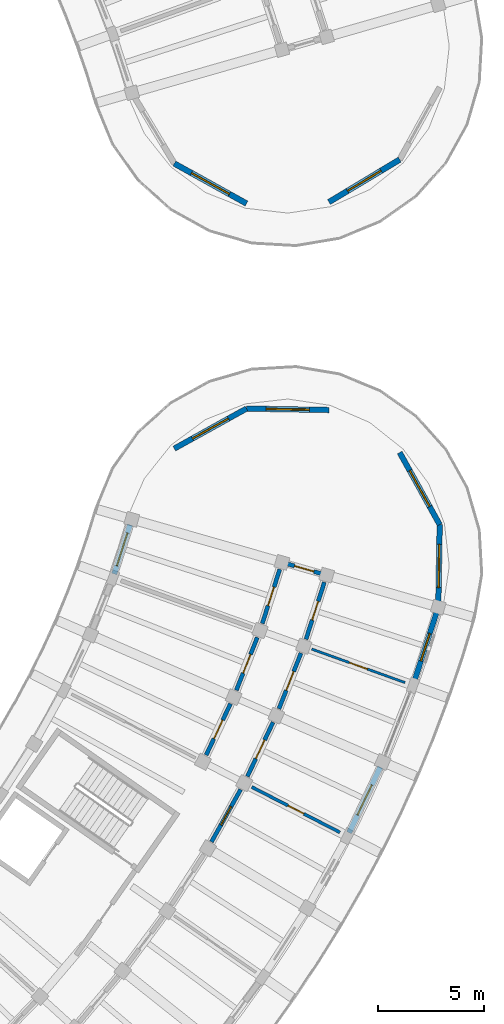
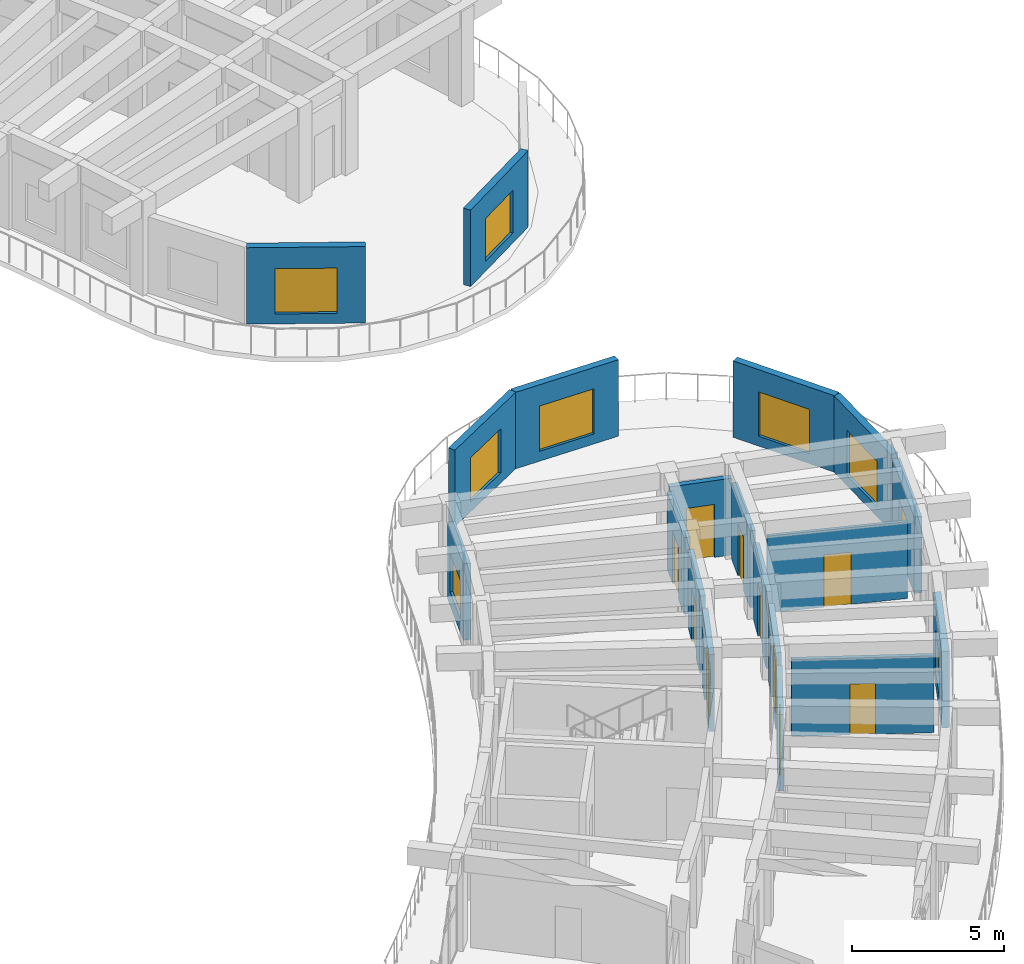
# One storey, part 97 of 128: 19 walls, 10 doors, 9 windows, 19 openings.
"""IFC4 building model written with IfcOpenShell, lengths in metres."""

from ifc_helpers import new_model, si_unit, direction, frame, frame_2d, origin, place, context, subcontext, project, spatial, rectangle, extrude, material, layer, layer_set, type_object, element, fill, save


model = new_model("IFC4")

# Units and contexts
model_context = context("Model", 3, precision=1e-05, world=origin(), true_north=direction((0.0, 1.0)))
body_context = subcontext(model_context, "Body", "Model", "MODEL_VIEW")
ifc_project = project(units=[si_unit("LENGTHUNIT", "METRE"), si_unit("AREAUNIT", "SQUARE_METRE"), si_unit("VOLUMEUNIT", "CUBIC_METRE"), si_unit("PLANEANGLEUNIT", "RADIAN"), si_unit("MASSUNIT", "GRAM", prefix="KILO")], contexts=[model_context])

# Site, building, storey
site_placement = place(None, origin())
site = spatial("IfcSite", under=ifc_project, at=site_placement, CompositionType="ELEMENT")
building_placement = place(site_placement, origin())
building = spatial("IfcBuilding", under=site, at=building_placement, Name="Tanwirah Colonnade Gardens", CompositionType="ELEMENT")
storey_placement = place(building_placement, frame((0.0, 0.0, 4.760009765625)))
storey = spatial("IfcBuildingStorey", under=building, at=storey_placement, Name="L01", CompositionType="ELEMENT", Elevation=4.760009765625)

# Wall, opening, window
ifc_material_1 = material(Name="Limestone architectural precast concrete C40/50", Category="masonry")
ifc_layer_1 = layer(ifc_material_1, 0.260009765625)
ifc_layer_set_1 = layer_set([ifc_layer_1], Name="Limestone architectural precast concrete C40/50")
wall_type_1 = type_object("IfcWallType", Name="EW-PC260", PredefinedType="SOLIDWALL", material=ifc_layer_set_1)
wall_1_placement = place(storey_placement, frame((174.020263671875, 37.40087890625, 0.0), z_axis=(0.0, 0.0, 1.0), x_axis=(0.428562647062, 0.903512068289, 0.0)))
wall_1 = element("IfcWall", 1, at=wall_1_placement, inside=storey, type_object=wall_type_1, Name="Block D L01 OUT Precast Facade Wall 13", PredefinedType="SOLIDWALL", context=body_context, shape_type="SweptSolid", body=[
    extrude(rectangle(XDim=3.436767578125, YDim=0.260009765625, at=frame_2d((1.71826171875, 0.0))), origin(), (0.0, 0.0, 1.0), 3.074951171875),
])
opening_1_placement = place(wall_1_placement, frame((0.928466796875, 0.0, 0.550048828125)))
opening_1 = element("IfcOpeningElement", 2, at=opening_1_placement, cuts=wall_1, Name="Opening WIN-T20", PredefinedType="OPENING", context=body_context, shape_type="SweptSolid", body=[
    extrude(rectangle(XDim=1.580078125, YDim=1.679931640625, at=frame_2d((0.7900390625, 0.83984375))), frame((0.0, 0.139892578125, 0.0), z_axis=(0.0, -1.0, 0.0), x_axis=(1.0, 0.0, 0.0)), (0.0, 0.0, 1.0), 0.280029296875),
])
ifc_material_2 = material(Name="Thermally broken bronze aluminium and solar low-E double glazing", Category="aluminium")
window_type_1 = type_object("IfcWindowType", Name="WIN-T20", PartitioningType="DOUBLE_PANEL_VERTICAL", PredefinedType="WINDOW", material=ifc_material_2)
window_1_placement = place(opening_1_placement, origin())
window_1 = element("IfcWindow", 3, at=window_1_placement, inside=storey, type_object=window_type_1, Name="Facade window D-L01-OUT-13", OverallHeight=1.679931640625, OverallWidth=1.580078125, PartitioningType="SINGLE_PANEL", PredefinedType="WINDOW", context=body_context, shape_type="SweptSolid", body=[
    extrude(rectangle(XDim=1.580078125, YDim=1.679931640625, at=frame_2d((0.7900390625, 0.83984375))), frame((0.0, 0.030029296875, 0.0), z_axis=(0.0, -1.0, 0.0), x_axis=(1.0, 0.0, 0.0)), (0.0, 0.0, 1.0), 0.06005859375),
])
fill(opening_1, window_1)

wall_2_placement = place(storey_placement, frame((177.103759765625, 44.55322265625, 0.0), z_axis=(0.0, 0.0, 1.0), x_axis=(0.306963342814, 0.951721338506, 0.0)))
wall_2 = element("IfcWall", 4, at=wall_2_placement, inside=storey, type_object=wall_type_1, Name="Block D L01 OUT Precast Facade Wall 15", PredefinedType="SOLIDWALL", context=body_context, shape_type="SweptSolid", body=[
    extrude(rectangle(XDim=3.436767578125, YDim=0.260009765625, at=frame_2d((1.71826171875, 0.0))), origin(), (0.0, 0.0, 1.0), 3.074951171875),
])
opening_2_placement = place(wall_2_placement, frame((1.038330078125, 0.0, 0.550048828125)))
opening_2 = element("IfcOpeningElement", 5, at=opening_2_placement, cuts=wall_2, Name="Opening WIN-U06", PredefinedType="OPENING", context=body_context, shape_type="SweptSolid", body=[
    extrude(rectangle(XDim=1.360107421875, YDim=1.610107421875, at=frame_2d((0.68017578125, 0.80517578125))), frame((0.0, 0.139892578125, 0.0), z_axis=(0.0, -1.0, 0.0), x_axis=(1.0, 0.0, 0.0)), (0.0, 0.0, 1.0), 0.280029296875),
])
window_type_2 = type_object("IfcWindowType", Name="WIN-U06", PartitioningType="DOUBLE_PANEL_VERTICAL", PredefinedType="WINDOW", material=ifc_material_2)
window_2_placement = place(opening_2_placement, origin())
window_2 = element("IfcWindow", 6, at=window_2_placement, inside=storey, type_object=window_type_2, Name="Facade window D-L01-OUT-15", OverallHeight=1.610107421875, OverallWidth=1.360107421875, PartitioningType="SINGLE_PANEL", PredefinedType="WINDOW", context=body_context, shape_type="SweptSolid", body=[
    extrude(rectangle(XDim=1.360107421875, YDim=1.610107421875, at=frame_2d((0.68017578125, 0.80517578125))), frame((0.0, 0.030029296875, 0.0), z_axis=(0.0, -1.0, 0.0), x_axis=(1.0, 0.0, 0.0)), (0.0, 0.0, 1.0), 0.06005859375),
])
fill(opening_2, window_2)

wall_3_placement = place(storey_placement, frame((162.89208984375, 49.65576171875, 0.0), z_axis=(0.0, 0.0, 1.0), x_axis=(0.306909552229, 0.951738686169, 0.0)))
wall_3 = element("IfcWall", 7, at=wall_3_placement, inside=storey, type_object=wall_type_1, Name="Block D L01 IN Precast Facade Wall 15", PredefinedType="SOLIDWALL", context=body_context, shape_type="SweptSolid", body=[
    extrude(rectangle(XDim=2.448486328125, YDim=0.260009765625, at=frame_2d((1.22412109375, 0.0))), origin(), (0.0, 0.0, 1.0), 3.074951171875),
])
opening_3_placement = place(wall_3_placement, frame((0.404296875, 0.0, 0.550048828125)))
opening_3 = element("IfcOpeningElement", 8, at=opening_3_placement, cuts=wall_3, Name="Opening WIN-U13", PredefinedType="OPENING", context=body_context, shape_type="SweptSolid", body=[
    extrude(rectangle(XDim=1.639892578125, YDim=1.56005859375, at=frame_2d((0.81982421875, 0.780029296875))), frame((0.0, 0.139892578125, 0.0), z_axis=(0.0, -1.0, 0.0), x_axis=(1.0, 0.0, 0.0)), (0.0, 0.0, 1.0), 0.280029296875),
])
window_type_3 = type_object("IfcWindowType", Name="WIN-U13", PartitioningType="DOUBLE_PANEL_VERTICAL", PredefinedType="WINDOW", material=ifc_material_2)
window_3_placement = place(opening_3_placement, origin())
window_3 = element("IfcWindow", 9, at=window_3_placement, inside=storey, type_object=window_type_3, Name="Facade window D-L01-IN-15", OverallHeight=1.56005859375, OverallWidth=1.639892578125, PartitioningType="SINGLE_PANEL", PredefinedType="WINDOW", context=body_context, shape_type="SweptSolid", body=[
    extrude(rectangle(XDim=1.639892578125, YDim=1.56005859375, at=frame_2d((0.81982421875, 0.780029296875))), frame((0.0, 0.030029296875, 0.0), z_axis=(0.0, -1.0, 0.0), x_axis=(1.0, 0.0, 0.0)), (0.0, 0.0, 1.0), 0.06005859375),
])
fill(opening_3, window_3)

wall_4_placement = place(storey_placement, frame((165.740966796875, 55.597900390625, 0.0), z_axis=(0.0, 0.0, 1.0), x_axis=(0.874616555828, 0.48481530532, 0.0)))
wall_4 = element("IfcWall", 10, at=wall_4_placement, inside=storey, type_object=wall_type_1, Name="Block D L01 END Rounded End Wall 1", PredefinedType="SOLIDWALL", context=body_context, shape_type="SweptSolid", body=[
    extrude(rectangle(XDim=3.908203125, YDim=0.260009765625, at=frame_2d((1.9541015625, 0.0))), origin(), (0.0, 0.0, 1.0), 3.074951171875),
])
opening_4_placement = place(wall_4_placement, frame((0.97900390625, 0.0, 0.39990234375)))
opening_4 = element("IfcOpeningElement", 11, at=opening_4_placement, cuts=wall_4, Name="Opening WIN-END2", PredefinedType="OPENING", context=body_context, shape_type="SweptSolid", body=[
    extrude(rectangle(XDim=1.949951171875, YDim=1.780029296875, at=frame_2d((0.97509765625, 0.89013671875))), frame((0.0, 0.139892578125, 0.0), z_axis=(0.0, -1.0, 0.0), x_axis=(1.0, 0.0, 0.0)), (0.0, 0.0, 1.0), 0.280029296875),
])
window_type_4 = type_object("IfcWindowType", Name="WIN-END2", PartitioningType="TRIPLE_PANEL_VERTICAL", PredefinedType="WINDOW", material=ifc_material_2)
window_4_placement = place(opening_4_placement, origin())
window_4 = element("IfcWindow", 12, at=window_4_placement, inside=storey, type_object=window_type_4, Name="Rounded corner window D-L01-END-1", OverallHeight=1.780029296875, OverallWidth=1.949951171875, PartitioningType="SINGLE_PANEL", PredefinedType="WINDOW", context=body_context, shape_type="SweptSolid", body=[
    extrude(rectangle(XDim=1.949951171875, YDim=1.780029296875, at=frame_2d((0.97509765625, 0.89013671875))), frame((0.0, 0.030029296875, 0.0), z_axis=(0.0, -1.0, 0.0), x_axis=(1.0, 0.0, 0.0)), (0.0, 0.0, 1.0), 0.06005859375),
])
fill(opening_4, window_4)

wall_5_placement = place(storey_placement, frame((169.1591796875, 57.49267578125, 0.0), z_axis=(0.0, 0.0, 1.0), x_axis=(0.999847005776, -0.017491856396, 0.0)))
wall_5 = element("IfcWall", 13, at=wall_5_placement, inside=storey, type_object=wall_type_1, Name="Block D L01 END Rounded End Wall 2", PredefinedType="SOLIDWALL", context=body_context, shape_type="SweptSolid", body=[
    extrude(rectangle(XDim=3.907958984375, YDim=0.260009765625, at=frame_2d((1.9541015625, 0.0))), origin(), (0.0, 0.0, 1.0), 3.074951171875),
])
opening_5_placement = place(wall_5_placement, frame((0.92919921875, 0.0, 0.39990234375)))
opening_5 = element("IfcOpeningElement", 14, at=opening_5_placement, cuts=wall_5, Name="Opening WIN-END3", PredefinedType="OPENING", context=body_context, shape_type="SweptSolid", body=[
    extrude(rectangle(XDim=2.050048828125, YDim=1.820068359375, at=frame_2d((1.02490234375, 0.91015625))), frame((0.0, 0.139892578125, 0.0), z_axis=(0.0, -1.0, 0.0), x_axis=(1.0, 0.0, 0.0)), (0.0, 0.0, 1.0), 0.280029296875),
])
window_type_5 = type_object("IfcWindowType", Name="WIN-END3", PartitioningType="TRIPLE_PANEL_VERTICAL", PredefinedType="WINDOW", material=ifc_material_2)
window_5_placement = place(opening_5_placement, origin())
window_5 = element("IfcWindow", 15, at=window_5_placement, inside=storey, type_object=window_type_5, Name="Rounded corner window D-L01-END-2", OverallHeight=1.820068359375, OverallWidth=2.050048828125, PartitioningType="SINGLE_PANEL", PredefinedType="WINDOW", context=body_context, shape_type="SweptSolid", body=[
    extrude(rectangle(XDim=2.050048828125, YDim=1.820068359375, at=frame_2d((1.02490234375, 0.91015625))), frame((0.0, 0.030029296875, 0.0), z_axis=(0.0, -1.0, 0.0), x_axis=(1.0, 0.0, 0.0)), (0.0, 0.0, 1.0), 0.06005859375),
])
fill(opening_5, window_5)

wall_6_placement = place(storey_placement, frame((176.41650390625, 55.41162109375, 0.0), z_axis=(0.0, 0.0, 1.0), x_axis=(0.48481530532, -0.874616555828, 0.0)))
wall_6 = element("IfcWall", 16, at=wall_6_placement, inside=storey, type_object=wall_type_1, Name="Block D L01 END Rounded End Wall 4", PredefinedType="SOLIDWALL", context=body_context, shape_type="SweptSolid", body=[
    extrude(rectangle(XDim=3.908203125, YDim=0.260009765625, at=frame_2d((1.9541015625, 0.0))), origin(), (0.0, 0.0, 1.0), 3.074951171875),
])
opening_6_placement = place(wall_6_placement, frame((0.97900390625, 0.0, 0.39990234375)))
opening_6 = element("IfcOpeningElement", 17, at=opening_6_placement, cuts=wall_6, Name="Opening WIN-END2", PredefinedType="OPENING", context=body_context, shape_type="SweptSolid", body=[
    extrude(rectangle(XDim=1.949951171875, YDim=1.780029296875, at=frame_2d((0.97509765625, 0.89013671875))), frame((0.0, 0.139892578125, 0.0), z_axis=(0.0, -1.0, 0.0), x_axis=(1.0, 0.0, 0.0)), (0.0, 0.0, 1.0), 0.280029296875),
])
window_6_placement = place(opening_6_placement, origin())
window_6 = element("IfcWindow", 18, at=window_6_placement, inside=storey, type_object=window_type_4, Name="Rounded corner window D-L01-END-4", OverallHeight=1.780029296875, OverallWidth=1.949951171875, PartitioningType="SINGLE_PANEL", PredefinedType="WINDOW", context=body_context, shape_type="SweptSolid", body=[
    extrude(rectangle(XDim=1.949951171875, YDim=1.780029296875, at=frame_2d((0.97509765625, 0.89013671875))), frame((0.0, 0.030029296875, 0.0), z_axis=(0.0, -1.0, 0.0), x_axis=(1.0, 0.0, 0.0)), (0.0, 0.0, 1.0), 0.06005859375),
])
fill(opening_6, window_6)

wall_7_placement = place(storey_placement, frame((178.311279296875, 51.993408203125, 0.0), z_axis=(0.0, 0.0, 1.0), x_axis=(-0.017428315893, -0.999848115368, 0.0)))
wall_7 = element("IfcWall", 19, at=wall_7_placement, inside=storey, type_object=wall_type_1, Name="Block D L01 END Rounded End Wall 5", PredefinedType="SOLIDWALL", context=body_context, shape_type="SweptSolid", body=[
    extrude(rectangle(XDim=3.908203125, YDim=0.260009765625, at=frame_2d((1.9541015625, 0.0))), origin(), (0.0, 0.0, 1.0), 3.074951171875),
])
opening_7_placement = place(wall_7_placement, frame((0.92919921875, 0.0, 0.39990234375)))
opening_7 = element("IfcOpeningElement", 20, at=opening_7_placement, cuts=wall_7, Name="Opening WIN-END3", PredefinedType="OPENING", context=body_context, shape_type="SweptSolid", body=[
    extrude(rectangle(XDim=2.050048828125, YDim=1.820068359375, at=frame_2d((1.02490234375, 0.91015625))), frame((0.0, 0.139892578125, 0.0), z_axis=(0.0, -1.0, 0.0), x_axis=(1.0, 0.0, 0.0)), (0.0, 0.0, 1.0), 0.280029296875),
])
window_7_placement = place(opening_7_placement, origin())
window_7 = element("IfcWindow", 21, at=window_7_placement, inside=storey, type_object=window_type_5, Name="Rounded corner window D-L01-END-5", OverallHeight=1.820068359375, OverallWidth=2.050048828125, PartitioningType="SINGLE_PANEL", PredefinedType="WINDOW", context=body_context, shape_type="SweptSolid", body=[
    extrude(rectangle(XDim=2.050048828125, YDim=1.820068359375, at=frame_2d((1.02490234375, 0.91015625))), frame((0.0, 0.030029296875, 0.0), z_axis=(0.0, -1.0, 0.0), x_axis=(1.0, 0.0, 0.0)), (0.0, 0.0, 1.0), 0.06005859375),
])
fill(opening_7, window_7)

ifc_layer_2 = layer(ifc_material_1, 0.27001953125)
ifc_layer_set_2 = layer_set([ifc_layer_2], Name="Limestone architectural precast concrete C40/50")
wall_type_2 = type_object("IfcWallType", Name="EW-PC270", PredefinedType="SOLIDWALL", material=ifc_layer_set_2)
wall_8_placement = place(storey_placement, frame((176.41650390625, 69.28857421875, 0.0), z_axis=(0.0, 0.0, 1.0), x_axis=(-0.85715098885, -0.515065221417, 0.0)))
wall_8 = element("IfcWall", 22, at=wall_8_placement, inside=storey, type_object=wall_type_2, Name="Block B L01 START Rounded End Wall 2", PredefinedType="SOLIDWALL", context=body_context, shape_type="SweptSolid", body=[
    extrude(rectangle(XDim=3.908203125, YDim=0.27001953125, at=frame_2d((1.9541015625, 0.0))), origin(), (0.0, 0.0, 1.0), 3.074951171875),
])
opening_8_placement = place(wall_8_placement, frame((1.029052734375, 0.0, 0.39990234375)))
opening_8 = element("IfcOpeningElement", 23, at=opening_8_placement, cuts=wall_8, Name="Opening WIN-END1", PredefinedType="OPENING", context=body_context, shape_type="SweptSolid", body=[
    extrude(rectangle(XDim=1.85009765625, YDim=1.719970703125, at=frame_2d((0.925048828125, 0.85986328125))), frame((0.0, 0.14501953125, 0.0), z_axis=(0.0, -1.0, 0.0), x_axis=(1.0, 0.0, 0.0)), (0.0, 0.0, 1.0), 0.2900390625),
])
window_type_6 = type_object("IfcWindowType", Name="WIN-END1", PartitioningType="TRIPLE_PANEL_VERTICAL", PredefinedType="WINDOW", material=ifc_material_2)
window_8_placement = place(opening_8_placement, origin())
window_8 = element("IfcWindow", 24, at=window_8_placement, inside=storey, type_object=window_type_6, Name="Rounded corner window B-L01-START-2", OverallHeight=1.719970703125, OverallWidth=1.85009765625, PartitioningType="SINGLE_PANEL", PredefinedType="WINDOW", context=body_context, shape_type="SweptSolid", body=[
    extrude(rectangle(XDim=1.85009765625, YDim=1.719970703125, at=frame_2d((0.925048828125, 0.85986328125))), frame((0.0, 0.030029296875, 0.0), z_axis=(0.0, -1.0, 0.0), x_axis=(1.0, 0.0, 0.0)), (0.0, 0.0, 1.0), 0.06005859375),
])
fill(opening_8, window_8)

wall_9_placement = place(storey_placement, frame((169.1591796875, 67.20751953125, 0.0), z_axis=(0.0, 0.0, 1.0), x_axis=(-0.874643043537, 0.484767517881, 0.0)))
wall_9 = element("IfcWall", 25, at=wall_9_placement, inside=storey, type_object=wall_type_2, Name="Block B L01 START Rounded End Wall 4", PredefinedType="SOLIDWALL", context=body_context, shape_type="SweptSolid", body=[
    extrude(rectangle(XDim=3.908203125, YDim=0.27001953125, at=frame_2d((1.9541015625, 0.0))), origin(), (0.0, 0.0, 1.0), 3.074951171875),
])
opening_9_placement = place(wall_9_placement, frame((0.92919921875, 0.0, 0.39990234375)))
opening_9 = element("IfcOpeningElement", 26, at=opening_9_placement, cuts=wall_9, Name="Opening WIN-END3", PredefinedType="OPENING", context=body_context, shape_type="SweptSolid", body=[
    extrude(rectangle(XDim=2.050048828125, YDim=1.820068359375, at=frame_2d((1.02490234375, 0.91015625))), frame((0.0, 0.14501953125, 0.0), z_axis=(0.0, -1.0, 0.0), x_axis=(1.0, 0.0, 0.0)), (0.0, 0.0, 1.0), 0.2900390625),
])
window_9_placement = place(opening_9_placement, origin())
window_9 = element("IfcWindow", 27, at=window_9_placement, inside=storey, type_object=window_type_5, Name="Rounded corner window B-L01-START-4", OverallHeight=1.820068359375, OverallWidth=2.050048828125, PartitioningType="SINGLE_PANEL", PredefinedType="WINDOW", context=body_context, shape_type="SweptSolid", body=[
    extrude(rectangle(XDim=2.050048828125, YDim=1.820068359375, at=frame_2d((1.02490234375, 0.91015625))), frame((0.0, 0.030029296875, 0.0), z_axis=(0.0, -1.0, 0.0), x_axis=(1.0, 0.0, 0.0)), (0.0, 0.0, 1.0), 0.06005859375),
])
fill(opening_9, window_9)

# Wall, opening, door
ifc_material_3 = material(Name="Precast concrete C40/50", Category="concrete")
ifc_layer_3 = layer(ifc_material_3, 0.195068359375)
ifc_layer_set_3 = layer_set([ifc_layer_3], Name="Precast concrete C40/50")
wall_type_3 = type_object("IfcWallType", Name="IW-CORR195", PredefinedType="PARTITIONING", material=ifc_layer_set_3)
wall_10_placement = place(storey_placement, frame((167.500244140625, 36.968017578125, 0.0), z_axis=(0.0, 0.0, 1.0), x_axis=(0.48673124079, 0.8735517725, 0.0)))
wall_10 = element("IfcWall", 28, at=wall_10_placement, inside=storey, type_object=wall_type_3, Name="Block D L01 OUT Corridor Wall 12", PredefinedType="PARTITIONING", context=body_context, shape_type="SweptSolid", body=[
    extrude(rectangle(XDim=2.8369140625, YDim=0.195068359375, at=frame_2d((1.41845703125, 0.0))), origin(), (0.0, 0.0, 1.0), 3.090087890625),
])
opening_10_placement = place(wall_10_placement, frame((0.923583984375, 0.0, 0.0)))
opening_10 = element("IfcOpeningElement", 29, at=opening_10_placement, cuts=wall_10, Name="Opening L01-AD1712", PredefinedType="OPENING", context=body_context, shape_type="SweptSolid", body=[
    extrude(rectangle(XDim=0.989990234375, YDim=2.159912109375, at=frame_2d((0.4951171875, 1.080078125))), frame((0.0, 0.107421875, 0.0), z_axis=(0.0, -1.0, 0.0), x_axis=(1.0, 0.0, 0.0)), (0.0, 0.0, 1.0), 0.215087890625),
])
ifc_material_4 = material(Name="Solid oak fire-resisting apartment entrance door")
door_type_1 = type_object("IfcDoorType", Name="ID-FLT099", OperationType="NOTDEFINED", PredefinedType="DOOR", material=ifc_material_4)
door_1_placement = place(opening_10_placement, origin())
door_1 = element("IfcDoor", 30, at=door_1_placement, inside=storey, type_object=door_type_1, Name="Apartment corridor door L01-AD1712", OperationType="SINGLE_SWING_RIGHT", OverallHeight=2.159912109375, OverallWidth=0.989990234375, PredefinedType="DOOR", context=body_context, shape_type="SweptSolid", body=[
    extrude(rectangle(XDim=0.989990234375, YDim=2.159912109375, at=frame_2d((0.4951171875, 1.080078125))), frame((0.0, 0.02490234375, 0.0), z_axis=(0.0, -1.0, 0.0), x_axis=(1.0, 0.0, 0.0)), (0.0, 0.0, 1.0), 0.050048828125),
])
fill(opening_10, door_1)

wall_11_placement = place(storey_placement, frame((169.201416015625, 40.068115234375, 0.0), z_axis=(0.0, 0.0, 1.0), x_axis=(0.428493237107, 0.903544988229, 0.0)))
wall_11 = element("IfcWall", 31, at=wall_11_placement, inside=storey, type_object=wall_type_3, Name="Block D L01 OUT Corridor Wall 13", PredefinedType="PARTITIONING", context=body_context, shape_type="SweptSolid", body=[
    extrude(rectangle(XDim=2.8369140625, YDim=0.195068359375, at=frame_2d((1.41845703125, 0.0))), origin(), (0.0, 0.0, 1.0), 3.090087890625),
])
opening_11_placement = place(wall_11_placement, frame((0.93359375, 0.0, 0.0)))
opening_11 = element("IfcOpeningElement", 32, at=opening_11_placement, cuts=wall_11, Name="Opening L01-AD1715", PredefinedType="OPENING", context=body_context, shape_type="SweptSolid", body=[
    extrude(rectangle(XDim=0.969970703125, YDim=2.14990234375, at=frame_2d((0.48486328125, 1.074951171875))), frame((0.0, 0.107421875, 0.0), z_axis=(0.0, -1.0, 0.0), x_axis=(1.0, 0.0, 0.0)), (0.0, 0.0, 1.0), 0.215087890625),
])
door_type_2 = type_object("IfcDoorType", Name="ID-FLT097", OperationType="NOTDEFINED", PredefinedType="DOOR", material=ifc_material_4)
door_2_placement = place(opening_11_placement, origin())
door_2 = element("IfcDoor", 33, at=door_2_placement, inside=storey, type_object=door_type_2, Name="Apartment corridor door L01-AD1715", OperationType="SINGLE_SWING_LEFT", OverallHeight=2.14990234375, OverallWidth=0.969970703125, PredefinedType="DOOR", context=body_context, shape_type="SweptSolid", body=[
    extrude(rectangle(XDim=0.969970703125, YDim=2.14990234375, at=frame_2d((0.48486328125, 1.074951171875))), frame((0.0, 0.02490234375, 0.0), z_axis=(0.0, -1.0, 0.0), x_axis=(1.0, 0.0, 0.0)), (0.0, 0.0, 1.0), 0.050048828125),
])
fill(opening_11, door_2)

wall_12_placement = place(storey_placement, frame((167.24560546875, 41.075439453125, 0.0), z_axis=(0.0, 0.0, 1.0), x_axis=(0.428550049392, 0.903518043631, 0.0)))
wall_12 = element("IfcWall", 34, at=wall_12_placement, inside=storey, type_object=wall_type_3, Name="Block D L01 IN Corridor Wall 13", PredefinedType="PARTITIONING", context=body_context, shape_type="SweptSolid", body=[
    extrude(rectangle(XDim=2.69287109375, YDim=0.195068359375, at=frame_2d((1.346435546875, 0.0))), origin(), (0.0, 0.0, 1.0), 3.090087890625),
])
opening_12_placement = place(wall_12_placement, frame((0.861572265625, 0.0, 0.0)))
opening_12 = element("IfcOpeningElement", 35, at=opening_12_placement, cuts=wall_12, Name="Opening L01-AD1716", PredefinedType="OPENING", context=body_context, shape_type="SweptSolid", body=[
    extrude(rectangle(XDim=0.969970703125, YDim=2.14990234375, at=frame_2d((0.48486328125, 1.074951171875))), frame((0.0, 0.107421875, 0.0), z_axis=(0.0, -1.0, 0.0), x_axis=(1.0, 0.0, 0.0)), (0.0, 0.0, 1.0), 0.215087890625),
])
door_3_placement = place(opening_12_placement, origin())
door_3 = element("IfcDoor", 36, at=door_3_placement, inside=storey, type_object=door_type_2, Name="Apartment corridor door L01-AD1716", OperationType="SINGLE_SWING_RIGHT", OverallHeight=2.14990234375, OverallWidth=0.969970703125, PredefinedType="DOOR", context=body_context, shape_type="SweptSolid", body=[
    extrude(rectangle(XDim=0.969970703125, YDim=2.14990234375, at=frame_2d((0.48486328125, 1.074951171875))), frame((0.0, 0.02490234375, 0.0), z_axis=(0.0, -1.0, 0.0), x_axis=(1.0, 0.0, 0.0)), (0.0, 0.0, 1.0), 0.050048828125),
])
fill(opening_12, door_3)

wall_13_placement = place(storey_placement, frame((170.696044921875, 43.27294921875, 0.0), z_axis=(0.0, 0.0, 1.0), x_axis=(0.368584691693, 0.929594172233, 0.0)))
wall_13 = element("IfcWall", 37, at=wall_13_placement, inside=storey, type_object=wall_type_3, Name="Block D L01 OUT Corridor Wall 14", PredefinedType="PARTITIONING", context=body_context, shape_type="SweptSolid", body=[
    extrude(rectangle(XDim=2.8369140625, YDim=0.195068359375, at=frame_2d((1.41845703125, 0.0))), origin(), (0.0, 0.0, 1.0), 3.090087890625),
])
opening_13_placement = place(wall_13_placement, frame((0.943603515625, 0.0, 0.0)))
opening_13 = element("IfcOpeningElement", 38, at=opening_13_placement, cuts=wall_13, Name="Opening L01-AD1717", PredefinedType="OPENING", context=body_context, shape_type="SweptSolid", body=[
    extrude(rectangle(XDim=0.949951171875, YDim=2.1298828125, at=frame_2d((0.47509765625, 1.06494140625))), frame((0.0, 0.107421875, 0.0), z_axis=(0.0, -1.0, 0.0), x_axis=(1.0, 0.0, 0.0)), (0.0, 0.0, 1.0), 0.215087890625),
])
door_type_3 = type_object("IfcDoorType", Name="ID-FLT095", OperationType="NOTDEFINED", PredefinedType="DOOR", material=ifc_material_4)
door_4_placement = place(opening_13_placement, origin())
door_4 = element("IfcDoor", 39, at=door_4_placement, inside=storey, type_object=door_type_3, Name="Apartment corridor door L01-AD1717", OperationType="SINGLE_SWING_RIGHT", OverallHeight=2.1298828125, OverallWidth=0.949951171875, PredefinedType="DOOR", context=body_context, shape_type="SweptSolid", body=[
    extrude(rectangle(XDim=0.949951171875, YDim=2.1298828125, at=frame_2d((0.47509765625, 1.06494140625))), frame((0.0, 0.02490234375, 0.0), z_axis=(0.0, -1.0, 0.0), x_axis=(1.0, 0.0, 0.0)), (0.0, 0.0, 1.0), 0.050048828125),
])
fill(opening_13, door_4)

wall_14_placement = place(storey_placement, frame((168.678466796875, 44.150146484375, 0.0), z_axis=(0.0, 0.0, 1.0), x_axis=(0.368528468945, 0.929616462622, 0.0)))
wall_14 = element("IfcWall", 40, at=wall_14_placement, inside=storey, type_object=wall_type_3, Name="Block D L01 IN Corridor Wall 14", PredefinedType="PARTITIONING", context=body_context, shape_type="SweptSolid", body=[
    extrude(rectangle(XDim=2.69287109375, YDim=0.195068359375, at=frame_2d((1.346435546875, 0.0))), origin(), (0.0, 0.0, 1.0), 3.090087890625),
])
opening_14_placement = place(wall_14_placement, frame((0.87158203125, 0.0, 0.0)))
opening_14 = element("IfcOpeningElement", 41, at=opening_14_placement, cuts=wall_14, Name="Opening L01-AD1718", PredefinedType="OPENING", context=body_context, shape_type="SweptSolid", body=[
    extrude(rectangle(XDim=0.949951171875, YDim=2.1298828125, at=frame_2d((0.47509765625, 1.06494140625))), frame((0.0, 0.107421875, 0.0), z_axis=(0.0, -1.0, 0.0), x_axis=(1.0, 0.0, 0.0)), (0.0, 0.0, 1.0), 0.215087890625),
])
door_5_placement = place(opening_14_placement, origin())
door_5 = element("IfcDoor", 42, at=door_5_placement, inside=storey, type_object=door_type_3, Name="Apartment corridor door L01-AD1718", OperationType="SINGLE_SWING_LEFT", OverallHeight=2.1298828125, OverallWidth=0.949951171875, PredefinedType="DOOR", context=body_context, shape_type="SweptSolid", body=[
    extrude(rectangle(XDim=0.949951171875, YDim=2.1298828125, at=frame_2d((0.47509765625, 1.06494140625))), frame((0.0, 0.02490234375, 0.0), z_axis=(0.0, -1.0, 0.0), x_axis=(1.0, 0.0, 0.0)), (0.0, 0.0, 1.0), 0.050048828125),
])
fill(opening_14, door_5)

wall_15_placement = place(storey_placement, frame((171.97802734375, 46.568603515625, 0.0), z_axis=(0.0, 0.0, 1.0), x_axis=(0.30694495224, 0.951727269912, 0.0)))
wall_15 = element("IfcWall", 43, at=wall_15_placement, inside=storey, type_object=wall_type_3, Name="Block D L01 OUT Corridor Wall 15", PredefinedType="PARTITIONING", context=body_context, shape_type="SweptSolid", body=[
    extrude(rectangle(XDim=2.837158203125, YDim=0.195068359375, at=frame_2d((1.41845703125, 0.0))), origin(), (0.0, 0.0, 1.0), 3.090087890625),
])
opening_15_placement = place(wall_15_placement, frame((0.95361328125, 0.0, 0.0)))
opening_15 = element("IfcOpeningElement", 44, at=opening_15_placement, cuts=wall_15, Name="Opening L01-AD1720", PredefinedType="OPENING", context=body_context, shape_type="SweptSolid", body=[
    extrude(rectangle(XDim=0.929931640625, YDim=2.1201171875, at=frame_2d((0.46484375, 1.06005859375))), frame((0.0, 0.107421875, 0.0), z_axis=(0.0, -1.0, 0.0), x_axis=(1.0, 0.0, 0.0)), (0.0, 0.0, 1.0), 0.215087890625),
])
door_type_4 = type_object("IfcDoorType", Name="ID-FLT093", OperationType="NOTDEFINED", PredefinedType="DOOR", material=ifc_material_4)
door_6_placement = place(opening_15_placement, origin())
door_6 = element("IfcDoor", 45, at=door_6_placement, inside=storey, type_object=door_type_4, Name="Apartment corridor door L01-AD1720", OperationType="SINGLE_SWING_LEFT", OverallHeight=2.1201171875, OverallWidth=0.929931640625, PredefinedType="DOOR", context=body_context, shape_type="SweptSolid", body=[
    extrude(rectangle(XDim=0.929931640625, YDim=2.1201171875, at=frame_2d((0.46484375, 1.06005859375))), frame((0.0, 0.02490234375, 0.0), z_axis=(0.0, -1.0, 0.0), x_axis=(1.0, 0.0, 0.0)), (0.0, 0.0, 1.0), 0.050048828125),
])
fill(opening_15, door_6)

wall_16_placement = place(storey_placement, frame((169.907470703125, 47.31201171875, 0.0), z_axis=(0.0, 0.0, 1.0), x_axis=(0.306883578189, 0.951747061691, 0.0)))
wall_16 = element("IfcWall", 46, at=wall_16_placement, inside=storey, type_object=wall_type_3, Name="Block D L01 IN Corridor Wall 15", PredefinedType="PARTITIONING", context=body_context, shape_type="SweptSolid", body=[
    extrude(rectangle(XDim=2.69287109375, YDim=0.195068359375, at=frame_2d((1.346435546875, 0.0))), origin(), (0.0, 0.0, 1.0), 3.090087890625),
])
opening_16_placement = place(wall_16_placement, frame((0.881591796875, 0.0, 0.0)))
opening_16 = element("IfcOpeningElement", 47, at=opening_16_placement, cuts=wall_16, Name="Opening L01-AD1721", PredefinedType="OPENING", context=body_context, shape_type="SweptSolid", body=[
    extrude(rectangle(XDim=0.929931640625, YDim=2.1201171875, at=frame_2d((0.46484375, 1.06005859375))), frame((0.0, 0.107421875, 0.0), z_axis=(0.0, -1.0, 0.0), x_axis=(1.0, 0.0, 0.0)), (0.0, 0.0, 1.0), 0.215087890625),
])
door_7_placement = place(opening_16_placement, origin())
door_7 = element("IfcDoor", 48, at=door_7_placement, inside=storey, type_object=door_type_4, Name="Apartment corridor door L01-AD1721", OperationType="SINGLE_SWING_RIGHT", OverallHeight=2.1201171875, OverallWidth=0.929931640625, PredefinedType="DOOR", context=body_context, shape_type="SweptSolid", body=[
    extrude(rectangle(XDim=0.929931640625, YDim=2.1201171875, at=frame_2d((0.46484375, 1.06005859375))), frame((0.0, 0.02490234375, 0.0), z_axis=(0.0, -1.0, 0.0), x_axis=(1.0, 0.0, 0.0)), (0.0, 0.0, 1.0), 0.050048828125),
])
fill(opening_16, door_7)

wall_17_placement = place(storey_placement, frame((170.889404296875, 50.1943359375, 0.0), z_axis=(0.0, 0.0, 1.0), x_axis=(0.961264701934, -0.275626872449, 0.0)))
wall_17 = element("IfcWall", 49, at=wall_17_placement, inside=storey, type_object=wall_type_3, Name="Block D L01 CE Corner Suite Corridor Wall", PredefinedType="PARTITIONING", context=body_context, shape_type="SweptSolid", body=[
    extrude(rectangle(XDim=2.10009765625, YDim=0.195068359375, at=frame_2d((1.050048828125, 0.0))), origin(), (0.0, 0.0, 1.0), 3.090087890625),
])
opening_17_placement = place(wall_17_placement, frame((0.570068359375, 0.0, 0.0)))
opening_17 = element("IfcOpeningElement", 50, at=opening_17_placement, cuts=wall_17, Name="Opening L01-CD1723", PredefinedType="OPENING", context=body_context, shape_type="SweptSolid", body=[
    extrude(rectangle(XDim=0.949951171875, YDim=2.1298828125, at=frame_2d((0.47509765625, 1.06494140625))), frame((0.0, 0.107421875, 0.0), z_axis=(0.0, -1.0, 0.0), x_axis=(1.0, 0.0, 0.0)), (0.0, 0.0, 1.0), 0.215087890625),
])
door_8_placement = place(opening_17_placement, origin())
door_8 = element("IfcDoor", 51, at=door_8_placement, inside=storey, type_object=door_type_3, Name="Corner suite entrance door L01-CD1723", OperationType="SINGLE_SWING_RIGHT", OverallHeight=2.1298828125, OverallWidth=0.949951171875, PredefinedType="DOOR", context=body_context, shape_type="SweptSolid", body=[
    extrude(rectangle(XDim=0.949951171875, YDim=2.1298828125, at=frame_2d((0.47509765625, 1.06494140625))), frame((0.0, 0.02490234375, 0.0), z_axis=(0.0, -1.0, 0.0), x_axis=(1.0, 0.0, 0.0)), (0.0, 0.0, 1.0), 0.050048828125),
])
fill(opening_17, door_8)

ifc_material_5 = material(Name="Acoustic gypsum stud partition")
ifc_layer_4 = layer(ifc_material_5, 0.114990234375)
ifc_layer_set_4 = layer_set([ifc_layer_4], Name="Acoustic gypsum stud partition")
wall_type_4 = type_object("IfcWallType", Name="IW-INT115", PredefinedType="PARTITIONING", material=ifc_layer_set_4)
wall_18_placement = place(storey_placement, frame((172.2470703125, 46.100341796875, 0.0), z_axis=(0.0, 0.0, 1.0), x_axis=(0.941182387398, -0.337898969591, 0.0)))
wall_18 = element("IfcWall", 52, at=wall_18_placement, inside=storey, type_object=wall_type_4, Name="Block D L01 Radial Partition 14", PredefinedType="PARTITIONING", context=body_context, shape_type="SweptSolid", body=[
    extrude(rectangle(XDim=4.699951171875, YDim=0.114990234375, at=frame_2d((2.35009765625, 0.0))), origin(), (0.0, 0.0, 1.0), 3.090087890625),
])
opening_18_placement = place(wall_18_placement, frame((1.89501953125, 0.0, 0.0)))
opening_18 = element("IfcOpeningElement", 53, at=opening_18_placement, cuts=wall_18, Name="Opening L01-RD1719", PredefinedType="OPENING", context=body_context, shape_type="SweptSolid", body=[
    extrude(rectangle(XDim=0.909912109375, YDim=2.10009765625, at=frame_2d((0.455078125, 1.050048828125))), frame((0.0, 0.0673828125, 0.0), z_axis=(0.0, -1.0, 0.0), x_axis=(1.0, 0.0, 0.0)), (0.0, 0.0, 1.0), 0.135009765625),
])
ifc_material_6 = material(Name="Painted hardwood internal room door", Category="wood")
door_type_5 = type_object("IfcDoorType", Name="ID-RM091", OperationType="NOTDEFINED", PredefinedType="DOOR", material=ifc_material_6)
door_9_placement = place(opening_18_placement, origin())
door_9 = element("IfcDoor", 54, at=door_9_placement, inside=storey, type_object=door_type_5, Name="Internal apartment door L01-RD1719", OperationType="SINGLE_SWING_RIGHT", OverallHeight=2.10009765625, OverallWidth=0.909912109375, PredefinedType="DOOR", context=body_context, shape_type="SweptSolid", body=[
    extrude(rectangle(XDim=0.909912109375, YDim=2.10009765625, at=frame_2d((0.455078125, 1.050048828125))), frame((0.0, 0.02490234375, 0.0), z_axis=(0.0, -1.0, 0.0), x_axis=(1.0, 0.0, 0.0)), (0.0, 0.0, 1.0), 0.050048828125),
])
fill(opening_18, door_9)

ifc_material_7 = material(Name="Water-resistant acoustic plumbing partition")
ifc_layer_5 = layer(ifc_material_7, 0.14990234375)
ifc_layer_set_5 = layer_set([ifc_layer_5], Name="Water-resistant acoustic plumbing partition")
wall_type_5 = type_object("IfcWallType", Name="IW-WET150", PredefinedType="PLUMBINGWALL", material=ifc_layer_set_5)
wall_19_placement = place(storey_placement, frame((169.406982421875, 39.56884765625, 0.0), z_axis=(0.0, 0.0, 1.0), x_axis=(0.889013002038, -0.457881952262, 0.0)))
wall_19 = element("IfcWall", 55, at=wall_19_placement, inside=storey, type_object=wall_type_5, Name="Block D L01 Radial Partition 12", PredefinedType="PLUMBINGWALL", context=body_context, shape_type="SweptSolid", body=[
    extrude(rectangle(XDim=4.7001953125, YDim=0.14990234375, at=frame_2d((2.35009765625, 0.0))), origin(), (0.0, 0.0, 1.0), 3.090087890625),
])
opening_19_placement = place(wall_19_placement, frame((1.925048828125, 0.0, 0.0)))
opening_19 = element("IfcOpeningElement", 56, at=opening_19_placement, cuts=wall_19, Name="Opening L01-RD1713", PredefinedType="OPENING", context=body_context, shape_type="SweptSolid", body=[
    extrude(rectangle(XDim=0.85009765625, YDim=2.050048828125, at=frame_2d((0.425048828125, 1.02490234375))), frame((0.0, 0.0849609375, 0.0), z_axis=(0.0, -1.0, 0.0), x_axis=(1.0, 0.0, 0.0)), (0.0, 0.0, 1.0), 0.169921875),
])
ifc_material_8 = material(Name="Moisture-resistant en-suite door")
door_type_6 = type_object("IfcDoorType", Name="ID-WET085", OperationType="NOTDEFINED", PredefinedType="DOOR", material=ifc_material_8)
door_10_placement = place(opening_19_placement, origin())
door_10 = element("IfcDoor", 57, at=door_10_placement, inside=storey, type_object=door_type_6, Name="Internal apartment door L01-RD1713", OperationType="SINGLE_SWING_RIGHT", OverallHeight=2.050048828125, OverallWidth=0.85009765625, PredefinedType="DOOR", context=body_context, shape_type="SweptSolid", body=[
    extrude(rectangle(XDim=0.85009765625, YDim=2.050048828125, at=frame_2d((0.425048828125, 1.02490234375))), frame((0.0, 0.02490234375, 0.0), z_axis=(0.0, -1.0, 0.0), x_axis=(1.0, 0.0, 0.0)), (0.0, 0.0, 1.0), 0.050048828125),
])
fill(opening_19, door_10)

save(model, "model.ifc")
